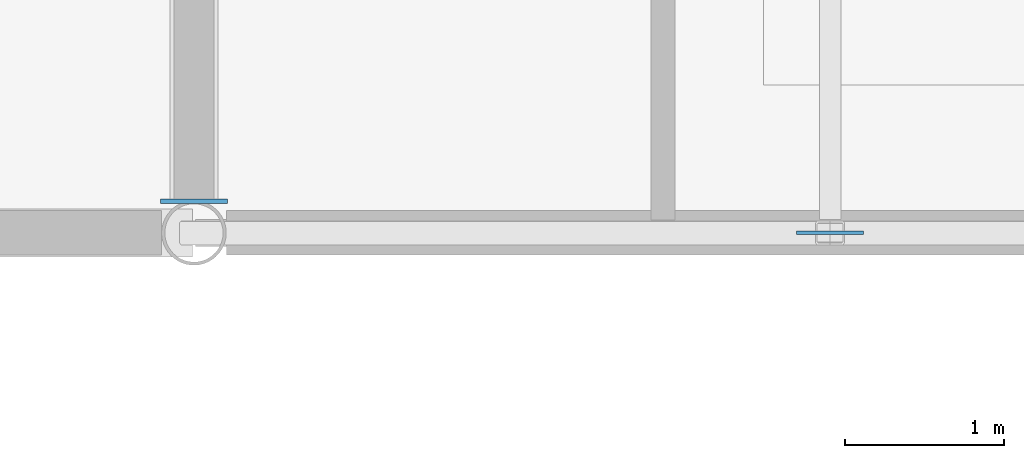
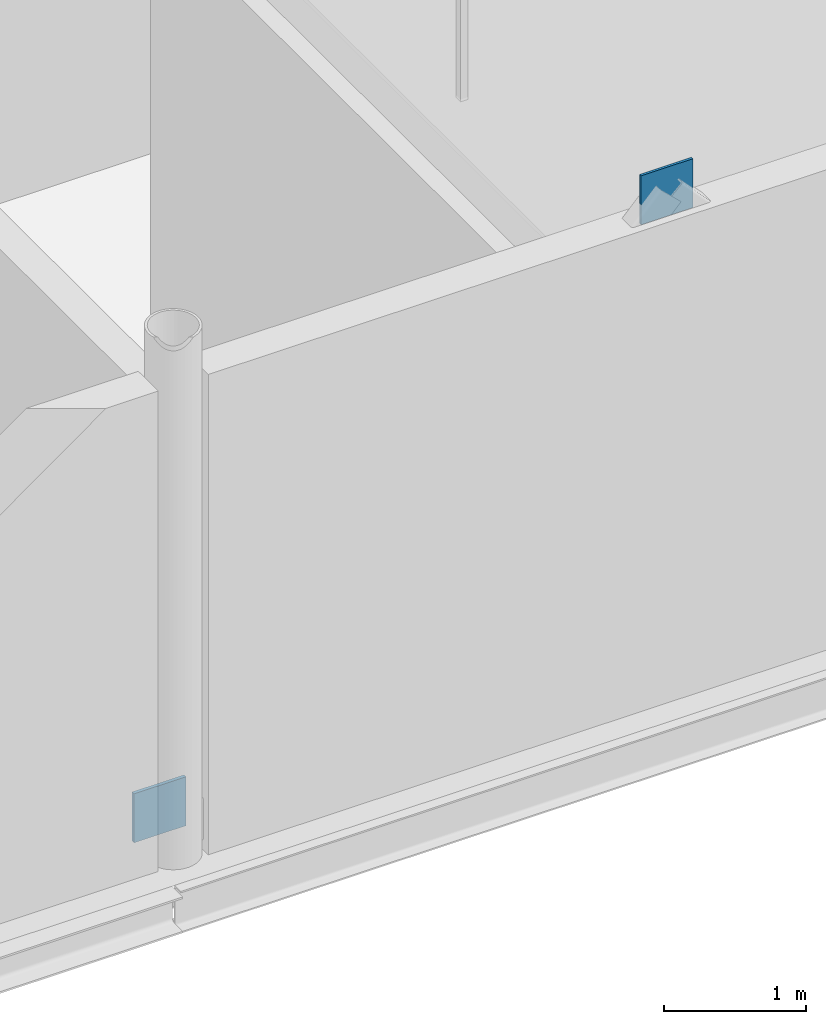
# One storey, part 67 of 107: 2 plates.
"""IFC4 building model written with IfcOpenShell, lengths in metres."""

from ifc_helpers import new_model, si_unit, direction, frame, origin, origin_2d, place, context, subcontext, project, spatial, rectangle, extrude, material, layer, layer_set, type_object, element, save


model = new_model("IFC4")

# Units and contexts
model_context = context("Model", 3, precision=1e-05, world=origin(), true_north=direction((0.0, 1.0)))
body_context = subcontext(model_context, "Body", "Model", "MODEL_VIEW")
ifc_project = project(units=[si_unit("LENGTHUNIT", "METRE"), si_unit("AREAUNIT", "SQUARE_METRE"), si_unit("VOLUMEUNIT", "CUBIC_METRE"), si_unit("PLANEANGLEUNIT", "RADIAN"), si_unit("MASSUNIT", "GRAM", prefix="KILO")], contexts=[model_context])

# Site, building, storey
site_placement = place(None, origin())
site = spatial("IfcSite", under=ifc_project, at=site_placement, CompositionType="ELEMENT")
building_placement = place(site_placement, origin())
building = spatial("IfcBuilding", under=site, at=building_placement, Name="Khelvaren Railside Concert Hall", CompositionType="ELEMENT")
storey_placement = place(building_placement, frame((0.0, 0.0, 15.0)))
storey = spatial("IfcBuildingStorey", under=building, at=storey_placement, Name="L03", CompositionType="ELEMENT", Elevation=15.0)

# Plates
ifc_material = material(Name="Steel S355", Category="steel")
ifc_layer_1 = layer(ifc_material, 0.028076171875)
ifc_layer_set_1 = layer_set([ifc_layer_1], Name="Steel S355")
plate_type_1 = type_object("IfcPlateType", Name="GP71", PredefinedType="USERDEFINED", material=ifc_layer_set_1)
plate_1_placement = place(storey_placement, frame((152.0, 0.199951171875, 0.050048828125), z_axis=(0.0, 0.0, 1.0), x_axis=(1.0, 0.0, 0.0)))
element("IfcPlate", 1, at=plate_1_placement, inside=storey, type_object=plate_type_1, Name="Chevron Brace Base Gusset Plate V2-L03-152", ObjectType="GUSSET PLATE", PredefinedType="USERDEFINED", context=body_context, shape_type="SweptSolid", body=[
    extrude(rectangle(XDim=0.419921875, YDim=0.028076171875, at=origin_2d()), origin(), (0.0, 0.0, 1.0), 0.419921875),
])
ifc_layer_2 = layer(ifc_material, 0.02197265625)
ifc_layer_set_2 = layer_set([ifc_layer_2], Name="Steel S355")
plate_type_2 = type_object("IfcPlateType", Name="STP73", PredefinedType="USERDEFINED", material=ifc_layer_set_2)
plate_2_placement = place(storey_placement, frame((156.0, 0.0, 4.070068359375), z_axis=(0.0, 0.0, 1.0), x_axis=(1.0, 0.0, 0.0)))
element("IfcPlate", 2, at=plate_2_placement, inside=storey, type_object=plate_type_2, Name="V2 L03 Brace Apex Stiffener Plate 56", ObjectType="STIFFENER PLATE", PredefinedType="USERDEFINED", context=body_context, shape_type="SweptSolid", body=[
    extrude(rectangle(XDim=0.419921875, YDim=0.02197265625, at=origin_2d()), origin(), (0.0, 0.0, 1.0), 0.419921875),
])

save(model, "model.ifc")
